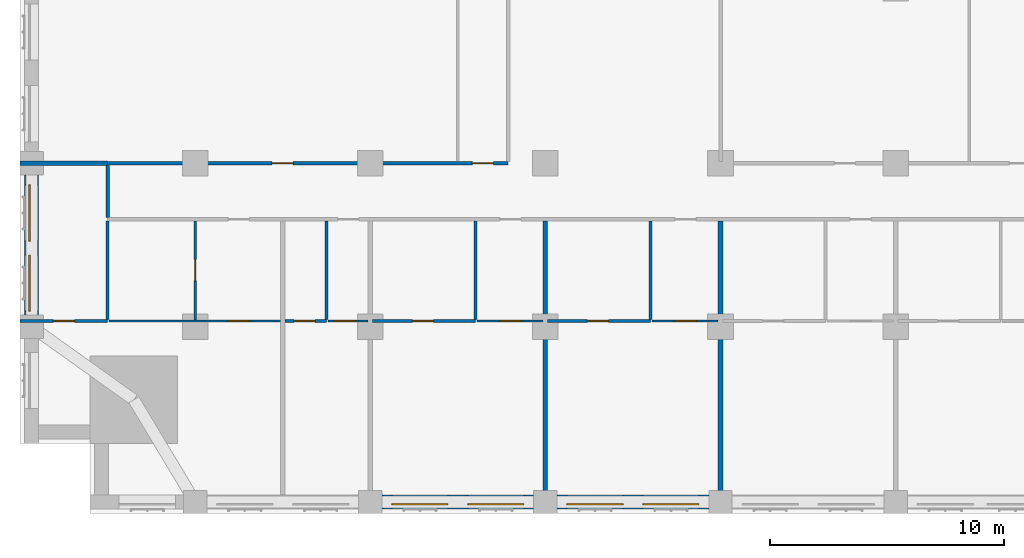
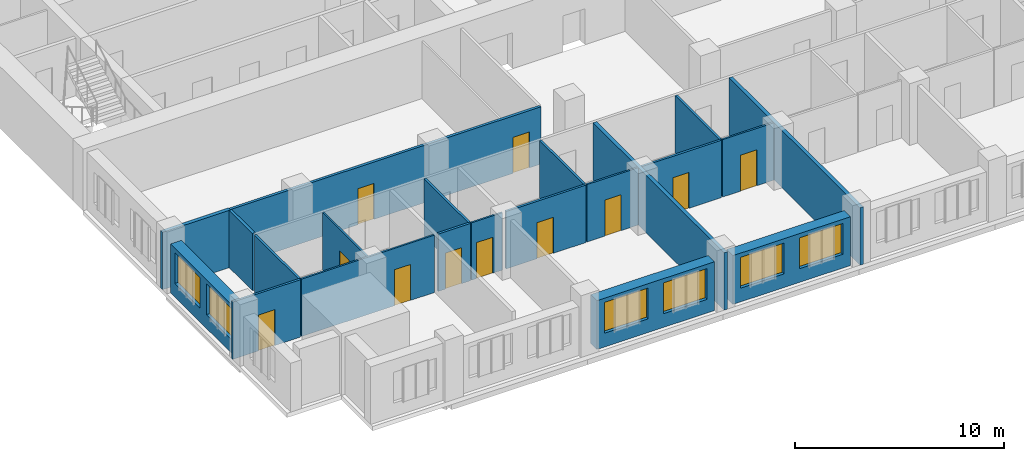
# One storey, part 4 of 14: 21 walls, 11 doors, 6 windows, 17 openings.
"""IFC4 building model written with IfcOpenShell, lengths in metres."""

import ifcopenshell
import ifcopenshell.guid

model = None  # the IFC model being written
_history = None  # IfcOwnerHistory: only IFC2X3 demands one
_inside = {}  # id of a spatial element -> (the spatial element, [elements in it])
_under = {}  # id of a project, library or spatial element -> (it, [spatial elements below it])
_declared = {}  # id of a project -> (the project, [libraries it declares])
_typed = {}  # id of a type object -> (the type object, [elements of that type])
_made_of = {}  # id of a material, layer set ... -> (it, [elements and type objects made of it])


def new_model(schema):
    """Start an empty IFC model of exactly this schema.

    Asked for "IFC4X3", IfcOpenShell would pick the latest addendum, in which some entities
    have other attributes; the version numbers below select the first issue.
    IFC2X3 requires an IfcOwnerHistory on every rooted entity: one is made here for all.
    """
    global model, _history
    if schema == "IFC4X3":
        model = ifcopenshell.file(schema_version=(4, 3, 0, 0))
    else:
        model = ifcopenshell.file(schema=schema)
    _inside.clear()
    _under.clear()
    _declared.clear()
    _typed.clear()
    _made_of.clear()
    _history = None
    if model.schema == "IFC2X3":
        org = make("IfcOrganization", Name="unknown")
        user = make(
            "IfcPersonAndOrganization",
            ThePerson=make("IfcPerson", FamilyName="unknown"),
            TheOrganization=org,
        )
        app = make(
            "IfcApplication",
            ApplicationDeveloper=org,
            Version="unknown",
            ApplicationFullName="unknown",
            ApplicationIdentifier="unknown",
        )
        _history = make(
            "IfcOwnerHistory",
            OwningUser=user,
            OwningApplication=app,
            ChangeAction="ADDED",
            CreationDate=0,
        )
    return model


def make(cls, **values):
    """One entity of the class cls with the attributes given. An attribute that is None is left unset."""
    return model.create_entity(
        cls, **{name: value for name, value in values.items() if value is not None}
    )


def rooted(cls, **values):
    """An entity with a GlobalId (a new one), such as an element, a storey or a relation."""
    return make(cls, GlobalId=ifcopenshell.guid.new(), OwnerHistory=_history, **values)


def si_unit(unit_type, name, prefix=None):
    """IfcSIUnit, for example si_unit("LENGTHUNIT", "METRE", prefix="MILLI")."""
    return make("IfcSIUnit", UnitType=unit_type, Prefix=prefix, Name=name)


def assignment(units):
    """IfcUnitAssignment: the units of a project."""
    return None if units is None else make("IfcUnitAssignment", Units=units)


def point(xyz):
    """IfcCartesianPoint."""
    return None if xyz is None else make("IfcCartesianPoint", Coordinates=xyz)


def direction(xyz):
    """IfcDirection."""
    return None if xyz is None else make("IfcDirection", DirectionRatios=xyz)


def frame(location, z_axis=None, x_axis=None):
    """IfcAxis2Placement3D, a coordinate frame: its origin and axes. An axis left out is left unset."""
    return make(
        "IfcAxis2Placement3D",
        Location=point(location),
        Axis=direction(z_axis),
        RefDirection=direction(x_axis),
    )


def frame_2d(location, x_axis=None):
    """IfcAxis2Placement2D, a coordinate frame in the plane: its origin and x axis."""
    return make(
        "IfcAxis2Placement2D", Location=point(location), RefDirection=direction(x_axis)
    )


def origin():
    """The frame at (0, 0, 0) with its axes left unset."""
    return frame((0.0, 0.0, 0.0))


def place(relative_to, where):
    """IfcLocalPlacement: puts the frame where relative to a parent placement (None: the world)."""
    return make(
        "IfcLocalPlacement", PlacementRelTo=relative_to, RelativePlacement=where
    )


def context(
    kind, dimensions, precision=None, world=None, true_north=None, identifier=None
):
    """IfcGeometricRepresentationContext, for example the 3D "Model" context."""
    return make(
        "IfcGeometricRepresentationContext",
        ContextIdentifier=identifier,
        ContextType=kind,
        CoordinateSpaceDimension=dimensions,
        Precision=precision,
        WorldCoordinateSystem=world,
        TrueNorth=true_north,
    )


def subcontext(parent, identifier, kind, view, scale=None):
    """IfcGeometricRepresentationSubContext, for example "Body" below "Model"."""
    return make(
        "IfcGeometricRepresentationSubContext",
        ContextIdentifier=identifier,
        ContextType=kind,
        ParentContext=parent,
        TargetScale=scale,
        TargetView=view,
    )


def project(units=None, contexts=None):
    """IfcProject with its units and contexts."""
    return rooted(
        "IfcProject",
        Name="project",
        RepresentationContexts=contexts,
        UnitsInContext=assignment(units),
    )


def spatial(cls, under=None, at=None, **own):
    """A site, building, storey or space (cls), placed at a placement, below another one or the project."""
    s = rooted(cls, ObjectPlacement=at, **own)
    if under is not None:
        _under.setdefault(under.id(), (under, []))[1].append(s)
    return s


def profile(cls, at=None, kind="AREA", **sizes):
    """A parametric profile (cls). Its sizes go by their IFC names, for example OverallWidth=200.0."""
    return make(cls, ProfileType=kind, Position=at, **sizes)


def rectangle(**sizes):
    """IfcRectangleProfileDef."""
    return profile("IfcRectangleProfileDef", **sizes)


def extrude(swept, where, along, depth):
    """IfcExtrudedAreaSolid: the profile swept, set in the frame where, extruded along a direction by depth."""
    return make(
        "IfcExtrudedAreaSolid",
        SweptArea=swept,
        Position=where,
        ExtrudedDirection=direction(along),
        Depth=depth,
    )


def shape(context_of_items, identifier, shape_type, items):
    """IfcShapeRepresentation: the items that make up one representation, for example the "Body"."""
    return make(
        "IfcShapeRepresentation",
        ContextOfItems=context_of_items,
        RepresentationIdentifier=identifier,
        RepresentationType=shape_type,
        Items=items,
    )


def material(Name=None, Category=None):
    """IfcMaterial."""
    return make("IfcMaterial", Name=Name, Category=Category)


def layer(
    of_material, thickness, ventilated=None, Name=None, Category=None, Priority=None
):
    """IfcMaterialLayer: one layer of a wall or slab, of a material (None: an air gap)."""
    return make(
        "IfcMaterialLayer",
        Material=of_material,
        LayerThickness=thickness,
        IsVentilated=ventilated,
        Name=Name,
        Category=Category,
        Priority=Priority,
    )


def layer_set(layers, Name=None):
    """IfcMaterialLayerSet."""
    return make("IfcMaterialLayerSet", MaterialLayers=layers, LayerSetName=Name)


def made_of(thing, what):
    """Note that an element or type object is made of a material, layer set ...; save() writes the relation."""
    if what is not None:
        _made_of.setdefault(what.id(), (what, []))[1].append(thing)
    return thing


def type_object(cls, material=None, **own):
    """A type object (cls), such as IfcWallType, which elements share."""
    return made_of(rooted(cls, **own), material)


def element(
    cls,
    number,
    at=None,
    inside=None,
    cuts=None,
    type_object=None,
    material=None,
    context=None,
    identifier="Body",
    shape_type=None,
    held_by="IfcProductDefinitionShape",
    body=None,
    shapes=None,
    **own,
):
    """One element of the class cls, such as IfcWall. Its Tag is "e" and its number.

    at: its placement. inside: the storey or other place that contains it. cuts: it is an
    opening in that element (IfcRelVoidsElement). A single representation is given by context,
    identifier, shape_type and body (its items); several are given by shapes. held_by: the class
    of the entity that holds the representations. save() writes the other relations.
    """
    e = rooted(cls, Tag="e%d" % number, ObjectPlacement=at, **own)
    if body is not None:
        shapes = [shape(context, identifier, shape_type, body)]
    if shapes is not None:
        e.Representation = make(held_by, Representations=shapes)
    if inside is not None:
        _inside.setdefault(inside.id(), (inside, []))[1].append(e)
    if cuts is not None:
        rooted(
            "IfcRelVoidsElement", RelatingBuildingElement=cuts, RelatedOpeningElement=e
        )
    if type_object is not None:
        _typed.setdefault(type_object.id(), (type_object, []))[1].append(e)
    return made_of(e, material)


def fill(opening, filler):
    """IfcRelFillsElement: the door or window that sits in an opening."""
    return rooted(
        "IfcRelFillsElement",
        RelatingOpeningElement=opening,
        RelatedBuildingElement=filler,
    )


def aggregate(whole, parts):
    """IfcRelAggregates: a whole, such as a stair, and the parts it consists of."""
    return rooted("IfcRelAggregates", RelatingObject=whole, RelatedObjects=parts)


def save(model, path):
    """Write the relations noted so far, then the file.

    IfcRelAggregates (storeys below a building ...), IfcRelContainedInSpatialStructure (elements
    in a storey), IfcRelDefinesByType, IfcRelAssociatesMaterial and IfcRelDeclares: one each for
    every whole, place, type object, material and project.
    """
    for whole, parts in _under.values():
        aggregate(whole, parts)
    for where, things in _inside.values():
        rooted(
            "IfcRelContainedInSpatialStructure",
            RelatedElements=things,
            RelatingStructure=where,
        )
    for kind, things in _typed.values():
        rooted("IfcRelDefinesByType", RelatedObjects=things, RelatingType=kind)
    for what, things in _made_of.values():
        rooted("IfcRelAssociatesMaterial", RelatedObjects=things, RelatingMaterial=what)
    for by, libraries in _declared.values():
        rooted("IfcRelDeclares", RelatingContext=by, RelatedDefinitions=libraries)
    model.write(path)


model = new_model("IFC4")

# Units and contexts
model_context = context("Model", 3, precision=1e-05, world=origin(), true_north=direction((0.0, 1.0)))
body_context = subcontext(model_context, "Body", "Model", "MODEL_VIEW")
ifc_project = project(units=[si_unit("LENGTHUNIT", "METRE"), si_unit("AREAUNIT", "SQUARE_METRE"), si_unit("VOLUMEUNIT", "CUBIC_METRE"), si_unit("PLANEANGLEUNIT", "RADIAN"), si_unit("MASSUNIT", "GRAM", prefix="KILO")], contexts=[model_context])

# Site, building, storey
site_placement = place(None, origin())
site = spatial("IfcSite", under=ifc_project, at=site_placement, CompositionType="ELEMENT")
building_placement = place(site_placement, origin())
building = spatial("IfcBuilding", under=site, at=building_placement, Name="Tamorin Gate", CompositionType="ELEMENT")
storey_placement = place(building_placement, frame((0.0, 0.0, 100.699951171875)))
storey = spatial("IfcBuildingStorey", under=building, at=storey_placement, Name="L24", CompositionType="ELEMENT", Elevation=100.699951171875)

# Wall, openings, windows
ifc_material_1 = material(Name="Precast concrete C40/50", Category="concrete")
ifc_layer_1 = layer(ifc_material_1, 0.60009765625)
ifc_layer_set_1 = layer_set([ifc_layer_1], Name="Precast concrete C40/50")
wall_type_1 = type_object("IfcWallType", Name="Board-marked concrete facade panel 600", PredefinedType="SOLIDWALL", material=ifc_layer_set_1)
wall_1_placement = place(storey_placement, frame((45.5, 38.0, 0.0), z_axis=(0.0, 0.0, 1.0), x_axis=(1.0, 0.0, 0.0)))
wall_1 = element("IfcWall", 1, at=wall_1_placement, inside=storey, type_object=wall_type_1, Name="Facade panel", PredefinedType="SOLIDWALL", context=body_context, shape_type="SweptSolid", body=[
    extrude(rectangle(XDim=6.5, YDim=0.60009765625, at=frame_2d((3.25, 0.0))), origin(), (0.0, 0.0, 1.0), 2.85009765625),
])
opening_1_placement = place(wall_1_placement, frame((0.425048828125, 0.0, 0.800048828125)))
opening_1 = element("IfcOpeningElement", 2, at=opening_1_placement, cuts=wall_1, Name="Opening WN1", PredefinedType="OPENING", context=body_context, shape_type="SweptSolid", body=[
    extrude(rectangle(XDim=2.39990234375, YDim=1.800048828125, at=frame_2d((1.199951171875, 0.89990234375))), frame((0.0, 0.31005859375, 0.0), z_axis=(0.0, -1.0, 0.0), x_axis=(1.0, 0.0, 0.0)), (0.0, 0.0, 1.0), 0.6201171875),
])
opening_2_placement = place(wall_1_placement, frame((3.675048828125, 0.0, 0.800048828125)))
opening_2 = element("IfcOpeningElement", 3, at=opening_2_placement, cuts=wall_1, Name="Opening WN1", PredefinedType="OPENING", context=body_context, shape_type="SweptSolid", body=[
    extrude(rectangle(XDim=2.39990234375, YDim=1.800048828125, at=frame_2d((1.199951171875, 0.89990234375))), frame((0.0, 0.31005859375, 0.0), z_axis=(0.0, -1.0, 0.0), x_axis=(1.0, 0.0, 0.0)), (0.0, 0.0, 1.0), 0.6201171875),
])
ifc_material_2 = material(Name="Clear glass in aluminium frame", Category="aluminium")
window_type = type_object("IfcWindowType", Name="Deep-set window 2400x1800", PartitioningType="SINGLE_PANEL", PredefinedType="WINDOW", material=ifc_material_2)
window_1_placement = place(opening_1_placement, origin())
window_1 = element("IfcWindow", 4, at=window_1_placement, inside=storey, type_object=window_type, Name="Deep-set window", OverallHeight=1.800048828125, OverallWidth=2.39990234375, PartitioningType="SINGLE_PANEL", PredefinedType="WINDOW", context=body_context, shape_type="SweptSolid", body=[
    extrude(rectangle(XDim=2.39990234375, YDim=1.800048828125, at=frame_2d((1.199951171875, 0.89990234375))), frame((0.0, -0.070068359375, 0.0), z_axis=(0.0, -1.0, 0.0), x_axis=(1.0, 0.0, 0.0)), (0.0, 0.0, 1.0), 0.06005859375),
])
fill(opening_1, window_1)
window_2_placement = place(opening_2_placement, origin())
window_2 = element("IfcWindow", 5, at=window_2_placement, inside=storey, type_object=window_type, Name="Deep-set window", OverallHeight=1.800048828125, OverallWidth=2.39990234375, PartitioningType="SINGLE_PANEL", PredefinedType="WINDOW", context=body_context, shape_type="SweptSolid", body=[
    extrude(rectangle(XDim=2.39990234375, YDim=1.800048828125, at=frame_2d((1.199951171875, 0.89990234375))), frame((0.0, -0.070068359375, 0.0), z_axis=(0.0, -1.0, 0.0), x_axis=(1.0, 0.0, 0.0)), (0.0, 0.0, 1.0), 0.06005859375),
])
fill(opening_2, window_2)

wall_2_placement = place(storey_placement, frame((53.0, 38.0, 0.0), z_axis=(0.0, 0.0, 1.0), x_axis=(1.0, 0.0, 0.0)))
wall_2 = element("IfcWall", 6, at=wall_2_placement, inside=storey, type_object=wall_type_1, Name="Facade panel", PredefinedType="SOLIDWALL", context=body_context, shape_type="SweptSolid", body=[
    extrude(rectangle(XDim=6.5, YDim=0.60009765625, at=frame_2d((3.25, 0.0))), origin(), (0.0, 0.0, 1.0), 2.85009765625),
])
opening_3_placement = place(wall_2_placement, frame((0.425048828125, 0.0, 0.800048828125)))
opening_3 = element("IfcOpeningElement", 7, at=opening_3_placement, cuts=wall_2, Name="Opening WN1", PredefinedType="OPENING", context=body_context, shape_type="SweptSolid", body=[
    extrude(rectangle(XDim=2.39990234375, YDim=1.800048828125, at=frame_2d((1.199951171875, 0.89990234375))), frame((0.0, 0.31005859375, 0.0), z_axis=(0.0, -1.0, 0.0), x_axis=(1.0, 0.0, 0.0)), (0.0, 0.0, 1.0), 0.6201171875),
])
opening_4_placement = place(wall_2_placement, frame((3.675048828125, 0.0, 0.800048828125)))
opening_4 = element("IfcOpeningElement", 8, at=opening_4_placement, cuts=wall_2, Name="Opening WN1", PredefinedType="OPENING", context=body_context, shape_type="SweptSolid", body=[
    extrude(rectangle(XDim=2.39990234375, YDim=1.800048828125, at=frame_2d((1.199951171875, 0.89990234375))), frame((0.0, 0.31005859375, 0.0), z_axis=(0.0, -1.0, 0.0), x_axis=(1.0, 0.0, 0.0)), (0.0, 0.0, 1.0), 0.6201171875),
])
window_3_placement = place(opening_3_placement, origin())
window_3 = element("IfcWindow", 9, at=window_3_placement, inside=storey, type_object=window_type, Name="Deep-set window", OverallHeight=1.800048828125, OverallWidth=2.39990234375, PartitioningType="SINGLE_PANEL", PredefinedType="WINDOW", context=body_context, shape_type="SweptSolid", body=[
    extrude(rectangle(XDim=2.39990234375, YDim=1.800048828125, at=frame_2d((1.199951171875, 0.89990234375))), frame((0.0, -0.070068359375, 0.0), z_axis=(0.0, -1.0, 0.0), x_axis=(1.0, 0.0, 0.0)), (0.0, 0.0, 1.0), 0.06005859375),
])
fill(opening_3, window_3)
window_4_placement = place(opening_4_placement, origin())
window_4 = element("IfcWindow", 10, at=window_4_placement, inside=storey, type_object=window_type, Name="Deep-set window", OverallHeight=1.800048828125, OverallWidth=2.39990234375, PartitioningType="SINGLE_PANEL", PredefinedType="WINDOW", context=body_context, shape_type="SweptSolid", body=[
    extrude(rectangle(XDim=2.39990234375, YDim=1.800048828125, at=frame_2d((1.199951171875, 0.89990234375))), frame((0.0, -0.070068359375, 0.0), z_axis=(0.0, -1.0, 0.0), x_axis=(1.0, 0.0, 0.0)), (0.0, 0.0, 1.0), 0.06005859375),
])
fill(opening_4, window_4)

wall_3_placement = place(storey_placement, frame((30.5, 52.0, 0.0), z_axis=(0.0, 0.0, 1.0), x_axis=(0.0, -1.0, 0.0)))
wall_3 = element("IfcWall", 11, at=wall_3_placement, inside=storey, type_object=wall_type_1, Name="Facade panel", PredefinedType="SOLIDWALL", context=body_context, shape_type="SweptSolid", body=[
    extrude(rectangle(XDim=6.0, YDim=0.60009765625, at=frame_2d((3.0, 0.0))), origin(), (0.0, 0.0, 1.0), 2.85009765625),
])
opening_5_placement = place(wall_3_placement, frame((3.425048828125, 0.0, 0.800048828125)))
opening_5 = element("IfcOpeningElement", 12, at=opening_5_placement, cuts=wall_3, Name="Opening WN1", PredefinedType="OPENING", context=body_context, shape_type="SweptSolid", body=[
    extrude(rectangle(XDim=2.39990234375, YDim=1.800048828125, at=frame_2d((1.199951171875, 0.89990234375))), frame((0.0, 0.31005859375, 0.0), z_axis=(0.0, -1.0, 0.0), x_axis=(1.0, 0.0, 0.0)), (0.0, 0.0, 1.0), 0.6201171875),
])
opening_6_placement = place(wall_3_placement, frame((0.425048828125, 0.0, 0.800048828125)))
opening_6 = element("IfcOpeningElement", 13, at=opening_6_placement, cuts=wall_3, Name="Opening WN1", PredefinedType="OPENING", context=body_context, shape_type="SweptSolid", body=[
    extrude(rectangle(XDim=2.39990234375, YDim=1.800048828125, at=frame_2d((1.199951171875, 0.89990234375))), frame((0.0, 0.31005859375, 0.0), z_axis=(0.0, -1.0, 0.0), x_axis=(1.0, 0.0, 0.0)), (0.0, 0.0, 1.0), 0.6201171875),
])
window_5_placement = place(opening_5_placement, origin())
window_5 = element("IfcWindow", 14, at=window_5_placement, inside=storey, type_object=window_type, Name="Deep-set window", OverallHeight=1.800048828125, OverallWidth=2.39990234375, PartitioningType="SINGLE_PANEL", PredefinedType="WINDOW", context=body_context, shape_type="SweptSolid", body=[
    extrude(rectangle(XDim=2.39990234375, YDim=1.800048828125, at=frame_2d((1.199951171875, 0.89990234375))), frame((0.0, -0.070068359375, 0.0), z_axis=(0.0, -1.0, 0.0), x_axis=(1.0, 0.0, 0.0)), (0.0, 0.0, 1.0), 0.06005859375),
])
fill(opening_5, window_5)
window_6_placement = place(opening_6_placement, origin())
window_6 = element("IfcWindow", 15, at=window_6_placement, inside=storey, type_object=window_type, Name="Deep-set window", OverallHeight=1.800048828125, OverallWidth=2.39990234375, PartitioningType="SINGLE_PANEL", PredefinedType="WINDOW", context=body_context, shape_type="SweptSolid", body=[
    extrude(rectangle(XDim=2.39990234375, YDim=1.800048828125, at=frame_2d((1.199951171875, 0.89990234375))), frame((0.0, -0.070068359375, 0.0), z_axis=(0.0, -1.0, 0.0), x_axis=(1.0, 0.0, 0.0)), (0.0, 0.0, 1.0), 0.06005859375),
])
fill(opening_6, window_6)

# Wall, openings, doors
ifc_material_3 = material(Name="Gypsum board partition")
ifc_layer_2 = layer(ifc_material_3, 0.14990234375)
ifc_layer_set_2 = layer_set([ifc_layer_2], Name="Corridor wall 150")
wall_type_2 = type_object("IfcWallType", Name="Corridor wall 150", PredefinedType="PARTITIONING", material=ifc_layer_set_2)
wall_4_placement = place(storey_placement, frame((33.75, 52.5, 0.0), z_axis=(0.0, 0.0, 1.0), x_axis=(1.0, 0.0, 0.0)))
wall_4 = element("IfcWall", 16, at=wall_4_placement, inside=storey, type_object=wall_type_2, Name="Corridor wall 150", PredefinedType="PARTITIONING", context=body_context, shape_type="SweptSolid", body=[
    extrude(rectangle(XDim=17.14990234375, YDim=0.14990234375, at=frame_2d((8.574951171875, 0.0))), origin(), (0.0, 0.0, 1.0), 3.35009765625),
])
opening_7_placement = place(wall_4_placement, frame((7.050048828125, 0.0, 0.0)))
opening_7 = element("IfcOpeningElement", 17, at=opening_7_placement, cuts=wall_4, Name="Opening DH7066", PredefinedType="OPENING", context=body_context, shape_type="SweptSolid", body=[
    extrude(rectangle(XDim=0.89990234375, YDim=2.10009765625, at=frame_2d((0.449951171875, 1.050048828125))), frame((0.0, 0.0849609375, 0.0), z_axis=(0.0, -1.0, 0.0), x_axis=(1.0, 0.0, 0.0)), (0.0, 0.0, 1.0), 0.169921875),
])
opening_8_placement = place(wall_4_placement, frame((15.625, 0.0, 0.0)))
opening_8 = element("IfcOpeningElement", 18, at=opening_8_placement, cuts=wall_4, Name="Opening DH7067", PredefinedType="OPENING", context=body_context, shape_type="SweptSolid", body=[
    extrude(rectangle(XDim=0.89990234375, YDim=2.10009765625, at=frame_2d((0.449951171875, 1.050048828125))), frame((0.0, 0.0849609375, 0.0), z_axis=(0.0, -1.0, 0.0), x_axis=(1.0, 0.0, 0.0)), (0.0, 0.0, 1.0), 0.169921875),
])
ifc_material_4 = material(Name="Timber door leaf", Category="wood")
door_type_1 = type_object("IfcDoorType", Name="Door 900 x 2100 FD30S", OperationType="NOTDEFINED", PredefinedType="DOOR", material=ifc_material_4)
door_1_placement = place(opening_7_placement, origin())
door_1 = element("IfcDoor", 19, at=door_1_placement, inside=storey, type_object=door_type_1, Name="Door DH7066", OperationType="SINGLE_SWING_LEFT", OverallHeight=2.10009765625, OverallWidth=0.89990234375, PredefinedType="DOOR", context=body_context, shape_type="SweptSolid", body=[
    extrude(rectangle(XDim=0.89990234375, YDim=2.10009765625, at=frame_2d((0.449951171875, 1.050048828125))), frame((0.0, 0.02490234375, 0.0), z_axis=(0.0, -1.0, 0.0), x_axis=(1.0, 0.0, 0.0)), (0.0, 0.0, 1.0), 0.050048828125),
])
fill(opening_7, door_1)
door_2_placement = place(opening_8_placement, origin())
door_2 = element("IfcDoor", 20, at=door_2_placement, inside=storey, type_object=door_type_1, Name="Door DH7067", OperationType="SINGLE_SWING_LEFT", OverallHeight=2.10009765625, OverallWidth=0.89990234375, PredefinedType="DOOR", context=body_context, shape_type="SweptSolid", body=[
    extrude(rectangle(XDim=0.89990234375, YDim=2.10009765625, at=frame_2d((0.449951171875, 1.050048828125))), frame((0.0, 0.02490234375, 0.0), z_axis=(0.0, -1.0, 0.0), x_axis=(1.0, 0.0, 0.0)), (0.0, 0.0, 1.0), 0.050048828125),
])
fill(opening_8, door_2)

# Walls
wall_5_placement = place(storey_placement, frame((33.75, 50.175048828125, 0.0), z_axis=(0.0, 0.0, 1.0), x_axis=(0.0, 1.0, 0.0)))
element("IfcWall", 21, at=wall_5_placement, inside=storey, type_object=wall_type_2, Name="Corridor wall 150", PredefinedType="PARTITIONING", context=body_context, shape_type="SweptSolid", body=[
    extrude(rectangle(XDim=2.224853515625, YDim=0.14990234375, at=frame_2d((1.1123046875, 0.0))), origin(), (0.0, 0.0, 1.0), 3.35009765625),
])
ifc_layer_3 = layer(ifc_material_3, 0.199951171875)
ifc_layer_set_3 = layer_set([ifc_layer_3], Name="Demising wall 200")
wall_type_3 = type_object("IfcWallType", Name="Demising wall 200", PredefinedType="PARTITIONING", material=ifc_layer_set_3)
wall_6_placement = place(storey_placement, frame((30.0, 52.5, 0.0), z_axis=(0.0, 0.0, 1.0), x_axis=(1.0, 0.0, 0.0)))
element("IfcWall", 22, at=wall_6_placement, inside=storey, type_object=wall_type_3, Name="Demising wall 200", PredefinedType="PARTITIONING", context=body_context, shape_type="SweptSolid", body=[
    extrude(rectangle(XDim=3.75, YDim=0.199951171875, at=frame_2d((1.875, 0.0))), origin(), (0.0, 0.0, 1.0), 3.35009765625),
])
for number, where, z_axis, x_axis, name in (
    (23, (52.5, 37.5, 0.0), (0.0, 0.0, 1.0), (0.0, 1.0, 0.0), "Demising wall 200"),
    (24, (60.0, 37.5, 0.0), (0.0, 0.0, 1.0), (0.0, 1.0, 0.0), "Demising wall 200"),
):
    element("IfcWall", number, at=place(storey_placement, frame(where, z_axis=z_axis, x_axis=x_axis)), inside=storey, type_object=wall_type_3, Name=name, PredefinedType="PARTITIONING", context=body_context, shape_type="SweptSolid", body=[
        extrude(rectangle(XDim=12.52490234375, YDim=0.199951171875, at=frame_2d((6.262451171875, 0.0))), origin(), (0.0, 0.0, 1.0), 3.35009765625),
    ])

# Wall, opening, door
ifc_layer_4 = layer(ifc_material_3, 0.10009765625)
ifc_layer_set_4 = layer_set([ifc_layer_4], Name="Room partition 100")
wall_type_4 = type_object("IfcWallType", Name="Room partition 100", PredefinedType="PARTITIONING", material=ifc_layer_set_4)
wall_7_placement = place(storey_placement, frame((33.8125, 45.75, 0.0), z_axis=(0.0, 0.0, 1.0), x_axis=(1.0, 0.0, 0.0)))
wall_7 = element("IfcWall", 25, at=wall_7_placement, inside=storey, type_object=wall_type_4, Name="Room partition 100", PredefinedType="PARTITIONING", context=body_context, shape_type="SweptSolid", body=[
    extrude(rectangle(XDim=7.33740234375, YDim=0.10009765625, at=frame_2d((3.668701171875, 0.0))), origin(), (0.0, 0.0, 1.0), 3.35009765625),
])
opening_9_placement = place(wall_7_placement, frame((5.112548828125, 0.0, 0.0)))
opening_9 = element("IfcOpeningElement", 26, at=opening_9_placement, cuts=wall_7, Name="Opening DH7004", PredefinedType="OPENING", context=body_context, shape_type="SweptSolid", body=[
    extrude(rectangle(XDim=0.89990234375, YDim=2.10009765625, at=frame_2d((0.449951171875, 1.050048828125))), frame((0.0, 0.06005859375, 0.0), z_axis=(0.0, -1.0, 0.0), x_axis=(1.0, 0.0, 0.0)), (0.0, 0.0, 1.0), 0.1201171875),
])
door_type_2 = type_object("IfcDoorType", Name="Door 900 x 2100", OperationType="NOTDEFINED", PredefinedType="DOOR", material=ifc_material_4)
door_3_placement = place(opening_9_placement, origin())
door_3 = element("IfcDoor", 27, at=door_3_placement, inside=storey, type_object=door_type_2, Name="Door DH7004", OperationType="SINGLE_SWING_LEFT", OverallHeight=2.10009765625, OverallWidth=0.89990234375, PredefinedType="DOOR", context=body_context, shape_type="SweptSolid", body=[
    extrude(rectangle(XDim=0.89990234375, YDim=2.10009765625, at=frame_2d((0.449951171875, 1.050048828125))), frame((0.0, 0.02490234375, 0.0), z_axis=(0.0, -1.0, 0.0), x_axis=(1.0, 0.0, 0.0)), (0.0, 0.0, 1.0), 0.050048828125),
])
fill(opening_9, door_3)

wall_8_placement = place(storey_placement, frame((43.1875, 45.75, 0.0), z_axis=(0.0, 0.0, 1.0), x_axis=(1.0, 0.0, 0.0)))
wall_8 = element("IfcWall", 28, at=wall_8_placement, inside=storey, type_object=wall_type_4, Name="Room partition 100", PredefinedType="PARTITIONING", context=body_context, shape_type="SweptSolid", body=[
    extrude(rectangle(XDim=1.71240234375, YDim=0.10009765625, at=frame_2d((0.856201171875, 0.0))), origin(), (0.0, 0.0, 1.0), 3.35009765625),
])
opening_10_placement = place(wall_8_placement, frame((0.27490234375, 0.0, 0.0)))
opening_10 = element("IfcOpeningElement", 29, at=opening_10_placement, cuts=wall_8, Name="Opening DH7007", PredefinedType="OPENING", context=body_context, shape_type="SweptSolid", body=[
    extrude(rectangle(XDim=0.89990234375, YDim=2.10009765625, at=frame_2d((0.449951171875, 1.050048828125))), frame((0.0, 0.06005859375, 0.0), z_axis=(0.0, -1.0, 0.0), x_axis=(1.0, 0.0, 0.0)), (0.0, 0.0, 1.0), 0.1201171875),
])
door_4_placement = place(opening_10_placement, origin())
door_4 = element("IfcDoor", 30, at=door_4_placement, inside=storey, type_object=door_type_2, Name="Door DH7007", OperationType="SINGLE_SWING_LEFT", OverallHeight=2.10009765625, OverallWidth=0.89990234375, PredefinedType="DOOR", context=body_context, shape_type="SweptSolid", body=[
    extrude(rectangle(XDim=0.89990234375, YDim=2.10009765625, at=frame_2d((0.449951171875, 1.050048828125))), frame((0.0, 0.02490234375, 0.0), z_axis=(0.0, -1.0, 0.0), x_axis=(1.0, 0.0, 0.0)), (0.0, 0.0, 1.0), 0.050048828125),
])
fill(opening_10, door_4)

wall_9_placement = place(storey_placement, frame((49.5625, 45.75, 0.0), z_axis=(0.0, 0.0, 1.0), x_axis=(1.0, 0.0, 0.0)))
wall_9 = element("IfcWall", 31, at=wall_9_placement, inside=storey, type_object=wall_type_4, Name="Room partition 100", PredefinedType="PARTITIONING", context=body_context, shape_type="SweptSolid", body=[
    extrude(rectangle(XDim=2.83740234375, YDim=0.10009765625, at=frame_2d((1.418701171875, 0.0))), origin(), (0.0, 0.0, 1.0), 3.35009765625),
])
opening_11_placement = place(wall_9_placement, frame((0.987548828125, 0.0, 0.0)))
opening_11 = element("IfcOpeningElement", 32, at=opening_11_placement, cuts=wall_9, Name="Opening DH7010", PredefinedType="OPENING", context=body_context, shape_type="SweptSolid", body=[
    extrude(rectangle(XDim=0.89990234375, YDim=2.10009765625, at=frame_2d((0.449951171875, 1.050048828125))), frame((0.0, 0.06005859375, 0.0), z_axis=(0.0, -1.0, 0.0), x_axis=(1.0, 0.0, 0.0)), (0.0, 0.0, 1.0), 0.1201171875),
])
door_5_placement = place(opening_11_placement, origin())
door_5 = element("IfcDoor", 33, at=door_5_placement, inside=storey, type_object=door_type_2, Name="Door DH7010", OperationType="SINGLE_SWING_LEFT", OverallHeight=2.10009765625, OverallWidth=0.89990234375, PredefinedType="DOOR", context=body_context, shape_type="SweptSolid", body=[
    extrude(rectangle(XDim=0.89990234375, YDim=2.10009765625, at=frame_2d((0.449951171875, 1.050048828125))), frame((0.0, 0.02490234375, 0.0), z_axis=(0.0, -1.0, 0.0), x_axis=(1.0, 0.0, 0.0)), (0.0, 0.0, 1.0), 0.050048828125),
])
fill(opening_11, door_5)

wall_10_placement = place(storey_placement, frame((57.0625, 45.75, 0.0), z_axis=(0.0, 0.0, 1.0), x_axis=(1.0, 0.0, 0.0)))
wall_10 = element("IfcWall", 34, at=wall_10_placement, inside=storey, type_object=wall_type_4, Name="Room partition 100", PredefinedType="PARTITIONING", context=body_context, shape_type="SweptSolid", body=[
    extrude(rectangle(XDim=2.83740234375, YDim=0.10009765625, at=frame_2d((1.418701171875, 0.0))), origin(), (0.0, 0.0, 1.0), 3.35009765625),
])
opening_12_placement = place(wall_10_placement, frame((0.987548828125, 0.0, 0.0)))
opening_12 = element("IfcOpeningElement", 35, at=opening_12_placement, cuts=wall_10, Name="Opening DH7013", PredefinedType="OPENING", context=body_context, shape_type="SweptSolid", body=[
    extrude(rectangle(XDim=0.89990234375, YDim=2.10009765625, at=frame_2d((0.449951171875, 1.050048828125))), frame((0.0, 0.06005859375, 0.0), z_axis=(0.0, -1.0, 0.0), x_axis=(1.0, 0.0, 0.0)), (0.0, 0.0, 1.0), 0.1201171875),
])
door_6_placement = place(opening_12_placement, origin())
door_6 = element("IfcDoor", 36, at=door_6_placement, inside=storey, type_object=door_type_2, Name="Door DH7013", OperationType="SINGLE_SWING_LEFT", OverallHeight=2.10009765625, OverallWidth=0.89990234375, PredefinedType="DOOR", context=body_context, shape_type="SweptSolid", body=[
    extrude(rectangle(XDim=0.89990234375, YDim=2.10009765625, at=frame_2d((0.449951171875, 1.050048828125))), frame((0.0, 0.02490234375, 0.0), z_axis=(0.0, -1.0, 0.0), x_axis=(1.0, 0.0, 0.0)), (0.0, 0.0, 1.0), 0.050048828125),
])
fill(opening_12, door_6)

wall_11_placement = place(storey_placement, frame((37.5, 45.800048828125, 0.0), z_axis=(0.0, 0.0, 1.0), x_axis=(0.0, 1.0, 0.0)))
wall_11 = element("IfcWall", 37, at=wall_11_placement, inside=storey, type_object=wall_type_4, Name="Room partition 100", PredefinedType="PARTITIONING", context=body_context, shape_type="SweptSolid", body=[
    extrude(rectangle(XDim=4.224853515625, YDim=0.10009765625, at=frame_2d((2.1123046875, 0.0))), origin(), (0.0, 0.0, 1.0), 3.35009765625),
])
opening_13_placement = place(wall_11_placement, frame((1.675048828125, 0.0, 0.0)))
opening_13 = element("IfcOpeningElement", 38, at=opening_13_placement, cuts=wall_11, Name="Opening DH7002", PredefinedType="OPENING", context=body_context, shape_type="SweptSolid", body=[
    extrude(rectangle(XDim=0.89990234375, YDim=2.10009765625, at=frame_2d((0.449951171875, 1.050048828125))), frame((0.0, 0.06005859375, 0.0), z_axis=(0.0, -1.0, 0.0), x_axis=(1.0, 0.0, 0.0)), (0.0, 0.0, 1.0), 0.1201171875),
])
door_7_placement = place(opening_13_placement, origin())
door_7 = element("IfcDoor", 39, at=door_7_placement, inside=storey, type_object=door_type_2, Name="Door DH7002", OperationType="SINGLE_SWING_RIGHT", OverallHeight=2.10009765625, OverallWidth=0.89990234375, PredefinedType="DOOR", context=body_context, shape_type="SweptSolid", body=[
    extrude(rectangle(XDim=0.89990234375, YDim=2.10009765625, at=frame_2d((0.449951171875, 1.050048828125))), frame((0.0, 0.02490234375, 0.0), z_axis=(0.0, -1.0, 0.0), x_axis=(1.0, 0.0, 0.0)), (0.0, 0.0, 1.0), 0.050048828125),
])
fill(opening_13, door_7)

ifc_layer_5 = layer(ifc_material_3, 0.125)
ifc_layer_set_5 = layer_set([ifc_layer_5], Name="Wet wall 125")
wall_type_5 = type_object("IfcWallType", Name="Wet wall 125", PredefinedType="PARTITIONING", material=ifc_layer_set_5)
wall_12_placement = place(storey_placement, frame((30.0, 45.75, 0.0), z_axis=(0.0, 0.0, 1.0), x_axis=(1.0, 0.0, 0.0)))
wall_12 = element("IfcWall", 40, at=wall_12_placement, inside=storey, type_object=wall_type_5, Name="Wet wall 125", PredefinedType="PARTITIONING", context=body_context, shape_type="SweptSolid", body=[
    extrude(rectangle(XDim=3.75, YDim=0.125, at=frame_2d((1.875, 0.0))), origin(), (0.0, 0.0, 1.0), 3.35009765625),
])
opening_14_placement = place(wall_12_placement, frame((1.425048828125, 0.0, 0.0)))
opening_14 = element("IfcOpeningElement", 41, at=opening_14_placement, cuts=wall_12, Name="Opening DH7001", PredefinedType="OPENING", context=body_context, shape_type="SweptSolid", body=[
    extrude(rectangle(XDim=0.89990234375, YDim=2.10009765625, at=frame_2d((0.449951171875, 1.050048828125))), frame((0.0, 0.072509765625, 0.0), z_axis=(0.0, -1.0, 0.0), x_axis=(1.0, 0.0, 0.0)), (0.0, 0.0, 1.0), 0.14501953125),
])
door_8_placement = place(opening_14_placement, origin())
door_8 = element("IfcDoor", 42, at=door_8_placement, inside=storey, type_object=door_type_2, Name="Door DH7001", OperationType="SINGLE_SWING_LEFT", OverallHeight=2.10009765625, OverallWidth=0.89990234375, PredefinedType="DOOR", context=body_context, shape_type="SweptSolid", body=[
    extrude(rectangle(XDim=0.89990234375, YDim=2.10009765625, at=frame_2d((0.449951171875, 1.050048828125))), frame((0.0, 0.02490234375, 0.0), z_axis=(0.0, -1.0, 0.0), x_axis=(1.0, 0.0, 0.0)), (0.0, 0.0, 1.0), 0.050048828125),
])
fill(opening_14, door_8)

wall_13_placement = place(storey_placement, frame((41.35009765625, 45.75, 0.0), z_axis=(0.0, 0.0, 1.0), x_axis=(1.0, 0.0, 0.0)))
wall_13 = element("IfcWall", 43, at=wall_13_placement, inside=storey, type_object=wall_type_5, Name="Wet wall 125", PredefinedType="PARTITIONING", context=body_context, shape_type="SweptSolid", body=[
    extrude(rectangle(XDim=1.77490234375, YDim=0.125, at=frame_2d((0.887451171875, 0.0))), origin(), (0.0, 0.0, 1.0), 3.35009765625),
])
opening_15_placement = place(wall_13_placement, frame((0.387451171875, 0.0, 0.0)))
opening_15 = element("IfcOpeningElement", 44, at=opening_15_placement, cuts=wall_13, Name="Opening DH7005", PredefinedType="OPENING", context=body_context, shape_type="SweptSolid", body=[
    extrude(rectangle(XDim=0.89990234375, YDim=2.10009765625, at=frame_2d((0.449951171875, 1.050048828125))), frame((0.0, 0.072509765625, 0.0), z_axis=(0.0, -1.0, 0.0), x_axis=(1.0, 0.0, 0.0)), (0.0, 0.0, 1.0), 0.14501953125),
])
door_9_placement = place(opening_15_placement, origin())
door_9 = element("IfcDoor", 45, at=door_9_placement, inside=storey, type_object=door_type_2, Name="Door DH7005", OperationType="SINGLE_SWING_LEFT", OverallHeight=2.10009765625, OverallWidth=0.89990234375, PredefinedType="DOOR", context=body_context, shape_type="SweptSolid", body=[
    extrude(rectangle(XDim=0.89990234375, YDim=2.10009765625, at=frame_2d((0.449951171875, 1.050048828125))), frame((0.0, 0.02490234375, 0.0), z_axis=(0.0, -1.0, 0.0), x_axis=(1.0, 0.0, 0.0)), (0.0, 0.0, 1.0), 0.050048828125),
])
fill(opening_15, door_9)

wall_14_placement = place(storey_placement, frame((45.10009765625, 45.75, 0.0), z_axis=(0.0, 0.0, 1.0), x_axis=(1.0, 0.0, 0.0)))
wall_14 = element("IfcWall", 46, at=wall_14_placement, inside=storey, type_object=wall_type_5, Name="Wet wall 125", PredefinedType="PARTITIONING", context=body_context, shape_type="SweptSolid", body=[
    extrude(rectangle(XDim=4.39990234375, YDim=0.125, at=frame_2d((2.199951171875, 0.0))), origin(), (0.0, 0.0, 1.0), 3.35009765625),
])
opening_16_placement = place(wall_14_placement, frame((1.699951171875, 0.0, 0.0)))
opening_16 = element("IfcOpeningElement", 47, at=opening_16_placement, cuts=wall_14, Name="Opening DH7008", PredefinedType="OPENING", context=body_context, shape_type="SweptSolid", body=[
    extrude(rectangle(XDim=0.89990234375, YDim=2.10009765625, at=frame_2d((0.449951171875, 1.050048828125))), frame((0.0, 0.072509765625, 0.0), z_axis=(0.0, -1.0, 0.0), x_axis=(1.0, 0.0, 0.0)), (0.0, 0.0, 1.0), 0.14501953125),
])
door_10_placement = place(opening_16_placement, origin())
door_10 = element("IfcDoor", 48, at=door_10_placement, inside=storey, type_object=door_type_2, Name="Door DH7008", OperationType="SINGLE_SWING_LEFT", OverallHeight=2.10009765625, OverallWidth=0.89990234375, PredefinedType="DOOR", context=body_context, shape_type="SweptSolid", body=[
    extrude(rectangle(XDim=0.89990234375, YDim=2.10009765625, at=frame_2d((0.449951171875, 1.050048828125))), frame((0.0, 0.02490234375, 0.0), z_axis=(0.0, -1.0, 0.0), x_axis=(1.0, 0.0, 0.0)), (0.0, 0.0, 1.0), 0.050048828125),
])
fill(opening_16, door_10)

wall_15_placement = place(storey_placement, frame((52.60009765625, 45.75, 0.0), z_axis=(0.0, 0.0, 1.0), x_axis=(1.0, 0.0, 0.0)))
wall_15 = element("IfcWall", 49, at=wall_15_placement, inside=storey, type_object=wall_type_5, Name="Wet wall 125", PredefinedType="PARTITIONING", context=body_context, shape_type="SweptSolid", body=[
    extrude(rectangle(XDim=4.39990234375, YDim=0.125, at=frame_2d((2.199951171875, 0.0))), origin(), (0.0, 0.0, 1.0), 3.35009765625),
])
opening_17_placement = place(wall_15_placement, frame((1.699951171875, 0.0, 0.0)))
opening_17 = element("IfcOpeningElement", 50, at=opening_17_placement, cuts=wall_15, Name="Opening DH7011", PredefinedType="OPENING", context=body_context, shape_type="SweptSolid", body=[
    extrude(rectangle(XDim=0.89990234375, YDim=2.10009765625, at=frame_2d((0.449951171875, 1.050048828125))), frame((0.0, 0.072509765625, 0.0), z_axis=(0.0, -1.0, 0.0), x_axis=(1.0, 0.0, 0.0)), (0.0, 0.0, 1.0), 0.14501953125),
])
door_11_placement = place(opening_17_placement, origin())
door_11 = element("IfcDoor", 51, at=door_11_placement, inside=storey, type_object=door_type_2, Name="Door DH7011", OperationType="SINGLE_SWING_LEFT", OverallHeight=2.10009765625, OverallWidth=0.89990234375, PredefinedType="DOOR", context=body_context, shape_type="SweptSolid", body=[
    extrude(rectangle(XDim=0.89990234375, YDim=2.10009765625, at=frame_2d((0.449951171875, 1.050048828125))), frame((0.0, 0.02490234375, 0.0), z_axis=(0.0, -1.0, 0.0), x_axis=(1.0, 0.0, 0.0)), (0.0, 0.0, 1.0), 0.050048828125),
])
fill(opening_17, door_11)

# Walls
for number, where, z_axis, x_axis, name in (
    (52, (33.75, 45.8125, 0.0), (0.0, 0.0, 1.0), (0.0, 1.0, 0.0), "Wet wall 125"),
    (53, (43.125, 45.8125, 0.0), (0.0, 0.0, 1.0), (0.0, 1.0, 0.0), "Wet wall 125"),
    (54, (49.5, 45.8125, 0.0), (0.0, 0.0, 1.0), (0.0, 1.0, 0.0), "Wet wall 125"),
    (55, (57.0, 45.8125, 0.0), (0.0, 0.0, 1.0), (0.0, 1.0, 0.0), "Wet wall 125"),
):
    element("IfcWall", number, at=place(storey_placement, frame(where, z_axis=z_axis, x_axis=x_axis)), inside=storey, type_object=wall_type_5, Name=name, PredefinedType="PARTITIONING", context=body_context, shape_type="SweptSolid", body=[
        extrude(rectangle(XDim=4.21240234375, YDim=0.125, at=frame_2d((2.106201171875, 0.0))), origin(), (0.0, 0.0, 1.0), 3.35009765625),
    ])

save(model, "model.ifc")
